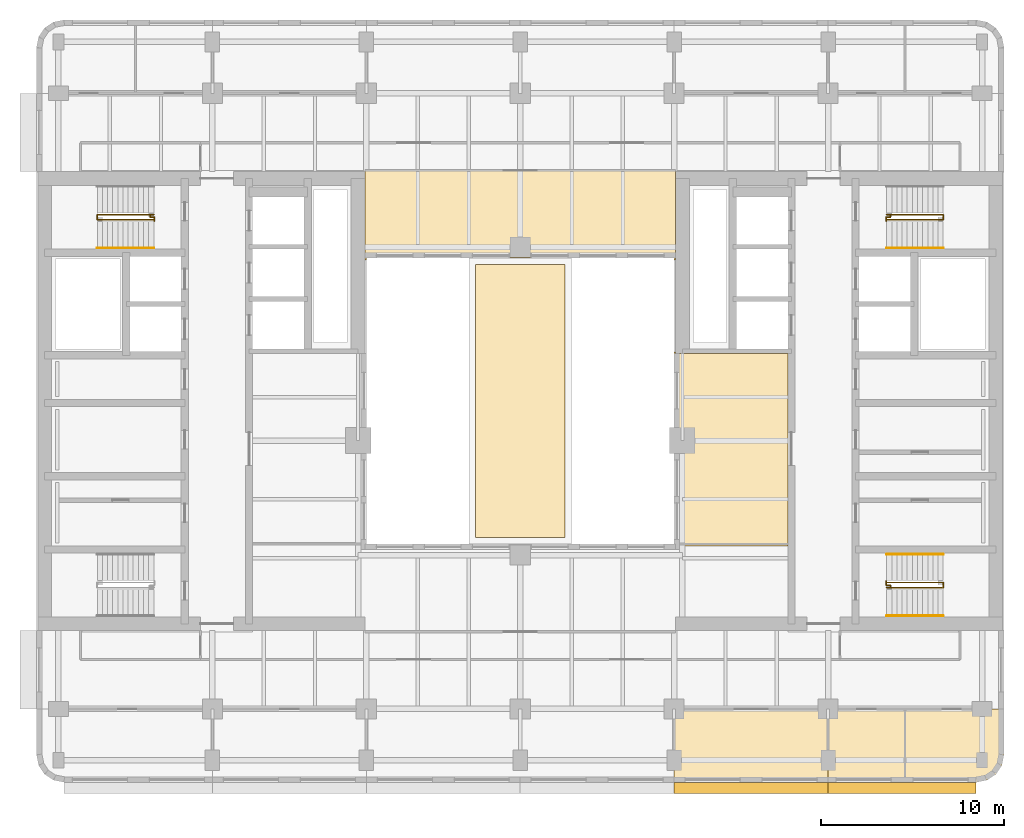
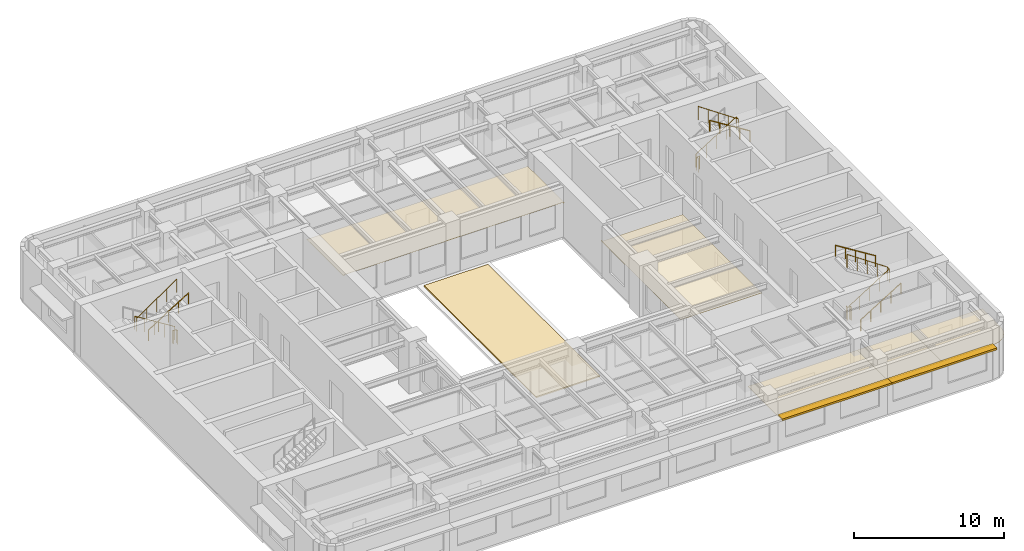
# One storey, part 10 of 11: 10 railings, 6 coverings, 2 shading devices.
"""IFC4 building model written with IfcOpenShell, lengths in metres."""

import ifcopenshell
import ifcopenshell.guid

model = None  # the IFC model being written
_history = None  # IfcOwnerHistory: only IFC2X3 demands one
_inside = {}  # id of a spatial element -> (the spatial element, [elements in it])
_under = {}  # id of a project, library or spatial element -> (it, [spatial elements below it])
_declared = {}  # id of a project -> (the project, [libraries it declares])
_typed = {}  # id of a type object -> (the type object, [elements of that type])
_made_of = {}  # id of a material, layer set ... -> (it, [elements and type objects made of it])


def new_model(schema):
    """Start an empty IFC model of exactly this schema.

    Asked for "IFC4X3", IfcOpenShell would pick the latest addendum, in which some entities
    have other attributes; the version numbers below select the first issue.
    IFC2X3 requires an IfcOwnerHistory on every rooted entity: one is made here for all.
    """
    global model, _history
    if schema == "IFC4X3":
        model = ifcopenshell.file(schema_version=(4, 3, 0, 0))
    else:
        model = ifcopenshell.file(schema=schema)
    _inside.clear()
    _under.clear()
    _declared.clear()
    _typed.clear()
    _made_of.clear()
    _history = None
    if model.schema == "IFC2X3":
        org = make("IfcOrganization", Name="unknown")
        user = make(
            "IfcPersonAndOrganization",
            ThePerson=make("IfcPerson", FamilyName="unknown"),
            TheOrganization=org,
        )
        app = make(
            "IfcApplication",
            ApplicationDeveloper=org,
            Version="unknown",
            ApplicationFullName="unknown",
            ApplicationIdentifier="unknown",
        )
        _history = make(
            "IfcOwnerHistory",
            OwningUser=user,
            OwningApplication=app,
            ChangeAction="ADDED",
            CreationDate=0,
        )
    return model


def make(cls, **values):
    """One entity of the class cls with the attributes given. An attribute that is None is left unset."""
    return model.create_entity(
        cls, **{name: value for name, value in values.items() if value is not None}
    )


def rooted(cls, **values):
    """An entity with a GlobalId (a new one), such as an element, a storey or a relation."""
    return make(cls, GlobalId=ifcopenshell.guid.new(), OwnerHistory=_history, **values)


def si_unit(unit_type, name, prefix=None):
    """IfcSIUnit, for example si_unit("LENGTHUNIT", "METRE", prefix="MILLI")."""
    return make("IfcSIUnit", UnitType=unit_type, Prefix=prefix, Name=name)


def assignment(units):
    """IfcUnitAssignment: the units of a project."""
    return None if units is None else make("IfcUnitAssignment", Units=units)


def point(xyz):
    """IfcCartesianPoint."""
    return None if xyz is None else make("IfcCartesianPoint", Coordinates=xyz)


def direction(xyz):
    """IfcDirection."""
    return None if xyz is None else make("IfcDirection", DirectionRatios=xyz)


def frame(location, z_axis=None, x_axis=None):
    """IfcAxis2Placement3D, a coordinate frame: its origin and axes. An axis left out is left unset."""
    return make(
        "IfcAxis2Placement3D",
        Location=point(location),
        Axis=direction(z_axis),
        RefDirection=direction(x_axis),
    )


def frame_2d(location, x_axis=None):
    """IfcAxis2Placement2D, a coordinate frame in the plane: its origin and x axis."""
    return make(
        "IfcAxis2Placement2D", Location=point(location), RefDirection=direction(x_axis)
    )


def origin():
    """The frame at (0, 0, 0) with its axes left unset."""
    return frame((0.0, 0.0, 0.0))


def origin_2d():
    """The frame at (0, 0) in the plane with its x axis left unset."""
    return frame_2d((0.0, 0.0))


def place(relative_to, where):
    """IfcLocalPlacement: puts the frame where relative to a parent placement (None: the world)."""
    return make(
        "IfcLocalPlacement", PlacementRelTo=relative_to, RelativePlacement=where
    )


def context(
    kind, dimensions, precision=None, world=None, true_north=None, identifier=None
):
    """IfcGeometricRepresentationContext, for example the 3D "Model" context."""
    return make(
        "IfcGeometricRepresentationContext",
        ContextIdentifier=identifier,
        ContextType=kind,
        CoordinateSpaceDimension=dimensions,
        Precision=precision,
        WorldCoordinateSystem=world,
        TrueNorth=true_north,
    )


def subcontext(parent, identifier, kind, view, scale=None):
    """IfcGeometricRepresentationSubContext, for example "Body" below "Model"."""
    return make(
        "IfcGeometricRepresentationSubContext",
        ContextIdentifier=identifier,
        ContextType=kind,
        ParentContext=parent,
        TargetScale=scale,
        TargetView=view,
    )


def project(units=None, contexts=None):
    """IfcProject with its units and contexts."""
    return rooted(
        "IfcProject",
        Name="project",
        RepresentationContexts=contexts,
        UnitsInContext=assignment(units),
    )


def spatial(cls, under=None, at=None, **own):
    """A site, building, storey or space (cls), placed at a placement, below another one or the project."""
    s = rooted(cls, ObjectPlacement=at, **own)
    if under is not None:
        _under.setdefault(under.id(), (under, []))[1].append(s)
    return s


def polyline(points):
    """IfcPolyline through the points."""
    return make("IfcPolyline", Points=[point(p) for p in points])


def profile(cls, at=None, kind="AREA", **sizes):
    """A parametric profile (cls). Its sizes go by their IFC names, for example OverallWidth=200.0."""
    return make(cls, ProfileType=kind, Position=at, **sizes)


def rectangle(**sizes):
    """IfcRectangleProfileDef."""
    return profile("IfcRectangleProfileDef", **sizes)


def circle(**sizes):
    """IfcCircleProfileDef."""
    return profile("IfcCircleProfileDef", **sizes)


def outline(outer, holes=None, kind="AREA"):
    """IfcArbitraryClosedProfileDef: a profile drawn as a closed curve; with holes, ...WithVoids."""
    if holes is None:
        return make("IfcArbitraryClosedProfileDef", ProfileType=kind, OuterCurve=outer)
    return make(
        "IfcArbitraryProfileDefWithVoids",
        ProfileType=kind,
        OuterCurve=outer,
        InnerCurves=holes,
    )


def extrude(swept, where, along, depth):
    """IfcExtrudedAreaSolid: the profile swept, set in the frame where, extruded along a direction by depth."""
    return make(
        "IfcExtrudedAreaSolid",
        SweptArea=swept,
        Position=where,
        ExtrudedDirection=direction(along),
        Depth=depth,
    )


def shape(context_of_items, identifier, shape_type, items):
    """IfcShapeRepresentation: the items that make up one representation, for example the "Body"."""
    return make(
        "IfcShapeRepresentation",
        ContextOfItems=context_of_items,
        RepresentationIdentifier=identifier,
        RepresentationType=shape_type,
        Items=items,
    )


def material(Name=None, Category=None):
    """IfcMaterial."""
    return make("IfcMaterial", Name=Name, Category=Category)


def layer(
    of_material, thickness, ventilated=None, Name=None, Category=None, Priority=None
):
    """IfcMaterialLayer: one layer of a wall or slab, of a material (None: an air gap)."""
    return make(
        "IfcMaterialLayer",
        Material=of_material,
        LayerThickness=thickness,
        IsVentilated=ventilated,
        Name=Name,
        Category=Category,
        Priority=Priority,
    )


def layer_set(layers, Name=None):
    """IfcMaterialLayerSet."""
    return make("IfcMaterialLayerSet", MaterialLayers=layers, LayerSetName=Name)


def made_of(thing, what):
    """Note that an element or type object is made of a material, layer set ...; save() writes the relation."""
    if what is not None:
        _made_of.setdefault(what.id(), (what, []))[1].append(thing)
    return thing


def type_object(cls, material=None, **own):
    """A type object (cls), such as IfcWallType, which elements share."""
    return made_of(rooted(cls, **own), material)


def element(
    cls,
    number,
    at=None,
    inside=None,
    cuts=None,
    type_object=None,
    material=None,
    context=None,
    identifier="Body",
    shape_type=None,
    held_by="IfcProductDefinitionShape",
    body=None,
    shapes=None,
    **own,
):
    """One element of the class cls, such as IfcWall. Its Tag is "e" and its number.

    at: its placement. inside: the storey or other place that contains it. cuts: it is an
    opening in that element (IfcRelVoidsElement). A single representation is given by context,
    identifier, shape_type and body (its items); several are given by shapes. held_by: the class
    of the entity that holds the representations. save() writes the other relations.
    """
    e = rooted(cls, Tag="e%d" % number, ObjectPlacement=at, **own)
    if body is not None:
        shapes = [shape(context, identifier, shape_type, body)]
    if shapes is not None:
        e.Representation = make(held_by, Representations=shapes)
    if inside is not None:
        _inside.setdefault(inside.id(), (inside, []))[1].append(e)
    if cuts is not None:
        rooted(
            "IfcRelVoidsElement", RelatingBuildingElement=cuts, RelatedOpeningElement=e
        )
    if type_object is not None:
        _typed.setdefault(type_object.id(), (type_object, []))[1].append(e)
    return made_of(e, material)


def aggregate(whole, parts):
    """IfcRelAggregates: a whole, such as a stair, and the parts it consists of."""
    return rooted("IfcRelAggregates", RelatingObject=whole, RelatedObjects=parts)


def save(model, path):
    """Write the relations noted so far, then the file.

    IfcRelAggregates (storeys below a building ...), IfcRelContainedInSpatialStructure (elements
    in a storey), IfcRelDefinesByType, IfcRelAssociatesMaterial and IfcRelDeclares: one each for
    every whole, place, type object, material and project.
    """
    for whole, parts in _under.values():
        aggregate(whole, parts)
    for where, things in _inside.values():
        rooted(
            "IfcRelContainedInSpatialStructure",
            RelatedElements=things,
            RelatingStructure=where,
        )
    for kind, things in _typed.values():
        rooted("IfcRelDefinesByType", RelatedObjects=things, RelatingType=kind)
    for what, things in _made_of.values():
        rooted("IfcRelAssociatesMaterial", RelatedObjects=things, RelatingMaterial=what)
    for by, libraries in _declared.values():
        rooted("IfcRelDeclares", RelatingContext=by, RelatedDefinitions=libraries)
    model.write(path)


model = new_model("IFC4")

# Units and contexts
model_context = context("Model", 3, precision=1e-05, world=origin(), true_north=direction((0.0, 1.0)))
body_context = subcontext(model_context, "Body", "Model", "MODEL_VIEW")
ifc_project = project(units=[si_unit("LENGTHUNIT", "METRE"), si_unit("AREAUNIT", "SQUARE_METRE"), si_unit("VOLUMEUNIT", "CUBIC_METRE"), si_unit("PLANEANGLEUNIT", "RADIAN"), si_unit("MASSUNIT", "GRAM", prefix="KILO")], contexts=[model_context])

# Site, building, storey
site_placement = place(None, origin())
site = spatial("IfcSite", under=ifc_project, at=site_placement, CompositionType="ELEMENT")
building_placement = place(site_placement, origin())
building = spatial("IfcBuilding", under=site, at=building_placement, Name="Claustro Exchange Tower", CompositionType="ELEMENT")
storey_placement = place(building_placement, frame((0.0, 0.0, 177.60009765625)))
storey = spatial("IfcBuildingStorey", under=building, at=storey_placement, Name="L40", CompositionType="ELEMENT", Elevation=177.60009765625)

# Coverings
ifc_material_1 = material(Name="Gypsum board ceiling", Category="gypsum board")
ifc_layer_1 = layer(ifc_material_1, 0.02490234375)
ifc_layer_set_1 = layer_set([ifc_layer_1], Name="Gypsum board ceiling")
covering_type_1 = type_object("IfcCoveringType", Name="CL2 plasterboard ceiling", PredefinedType="CEILING", material=ifc_layer_set_1)
covering_1_placement = place(storey_placement, frame((0.0, 0.0, 2.7998046875)))
element("IfcCovering", 1, at=covering_1_placement, inside=storey, type_object=covering_type_1, Name="Ceiling CL2 L40-03", PredefinedType="CEILING", context=body_context, shape_type="SweptSolid", body=[
    extrude(outline(polyline([(33.60009765625, 4.39990234375), (42.0, 4.39990234375), (42.0, 8.39990234375), (33.60009765625, 8.39990234375), (33.60009765625, 4.39990234375)])), origin(), (0.0, 0.0, 1.0), 0.025146484375),
])
covering_2_placement = place(storey_placement, frame((0.0, 0.0, 2.7998046875)))
element("IfcCovering", 2, at=covering_2_placement, inside=storey, type_object=covering_type_1, Name="Ceiling CL2 L40-04", PredefinedType="CEILING", context=body_context, shape_type="SweptSolid", body=[
    extrude(outline(polyline([(42.0, 4.39990234375), (46.199951171875, 4.39990234375), (46.199951171875, 8.39990234375), (42.0, 8.39990234375), (42.0, 4.39990234375)])), origin(), (0.0, 0.0, 1.0), 0.025146484375),
])
covering_3_placement = place(storey_placement, frame((0.0, 0.0, 2.7998046875)))
element("IfcCovering", 3, at=covering_3_placement, inside=storey, type_object=covering_type_1, Name="Ceiling CL2 L40-05", PredefinedType="CEILING", context=body_context, shape_type="SweptSolid", body=[
    extrude(outline(polyline([(51.60009765625, 5.89990234375), (51.60009765625, 8.39990234375), (46.199951171875, 8.39990234375), (46.199951171875, 4.39990234375), (50.10009765625, 4.39990234375), (50.674072265625, 4.51416015625), (51.16064453125, 4.83935546875), (51.48583984375, 5.325927734375), (51.60009765625, 5.89990234375)])), origin(), (0.0, 0.0, 1.0), 0.025146484375),
])
covering_4_placement = place(storey_placement, frame((0.0, 0.0, 2.7998046875)))
element("IfcCovering", 4, at=covering_4_placement, inside=storey, type_object=covering_type_1, Name="Ceiling CL2 L40-12", PredefinedType="CEILING", context=body_context, shape_type="SweptSolid", body=[
    extrude(outline(polyline([(33.60009765625, 27.89501953125), (33.60009765625, 17.304931640625), (39.800048828125, 17.304931640625), (39.800048828125, 27.800048828125), (33.675048828125, 27.800048828125), (33.675048828125, 27.89501953125), (33.60009765625, 27.89501953125)])), origin(), (0.0, 0.0, 1.0), 0.025146484375),
])
covering_5_placement = place(storey_placement, frame((0.0, 0.0, 2.7998046875)))
element("IfcCovering", 5, at=covering_5_placement, inside=storey, type_object=covering_type_1, Name="Ceiling CL2 L40-13", PredefinedType="CEILING", context=body_context, shape_type="SweptSolid", body=[
    extrude(outline(polyline([(16.72509765625, 37.72509765625), (16.72509765625, 32.905029296875), (16.800048828125, 32.905029296875), (16.800048828125, 33.0), (33.60009765625, 33.0), (33.60009765625, 32.905029296875), (33.675048828125, 32.905029296875), (33.675048828125, 37.72509765625), (33.695068359375, 37.72509765625), (33.695068359375, 37.800048828125), (16.705078125, 37.800048828125), (16.705078125, 37.72509765625), (16.72509765625, 37.72509765625)])), origin(), (0.0, 0.0, 1.0), 0.025146484375),
])

# Railings
ifc_material_2 = material(Name="Steel balustrade, painted", Category="steel")
railing_type_1 = type_object("IfcRailingType", Name="GR2 1100 steel stair guard", PredefinedType="GUARDRAIL", material=ifc_material_2)
railing_1_placement = place(storey_placement, frame((5.199951171875, 35.375, 0.1748046875)))
element("IfcRailing", 6, at=railing_1_placement, inside=storey, type_object=railing_type_1, Name="Stair well guard GR2 stair STWB L40", PredefinedType="GUARDRAIL", context=body_context, shape_type="SweptSolid", body=[
    extrude(circle(Radius=0.02392578125, at=origin_2d()), frame((0.0, 0.0, 1.076171875), z_axis=(-0.847979421464, 0.0, 0.530029150871), x_axis=(0.0, -1.0, 0.0)), (0.0, 0.0, 1.0), 3.632080078125),
    extrude(circle(Radius=0.02392578125, at=origin_2d()), frame((-3.079833984375, 0.0, 3.0009765625), z_axis=(0.0, -1.0, 0.0), x_axis=(1.0, 0.0, 0.0)), (0.0, 0.0, 1.0), 0.27490234375),
    extrude(circle(Radius=0.02392578125, at=origin_2d()), frame((-3.079833984375, -0.27490234375, 3.0009765625), z_axis=(0.826201015165, 0.0, 0.563375436579), x_axis=(0.0, 1.0, 0.0)), (0.0, 0.0, 1.0), 3.727783203125),
    extrude(circle(Radius=0.02099609375, at=origin_2d()), origin(), (0.0, 0.0, 1.0), 1.052001953125),
    extrude(circle(Radius=0.02099609375, at=origin_2d()), frame((-0.77001953125, 0.0, 0.481201171875)), (0.0, 0.0, 1.0), 1.052001953125),
    extrude(circle(Radius=0.02099609375, at=origin_2d()), frame((-1.5400390625, 0.0, 0.96240234375)), (0.0, 0.0, 1.0), 1.052001953125),
    extrude(circle(Radius=0.02099609375, at=origin_2d()), frame((-2.309814453125, 0.0, 1.44384765625)), (0.0, 0.0, 1.0), 1.052001953125),
    extrude(circle(Radius=0.02099609375, at=origin_2d()), frame((-3.079833984375, 0.0, 1.925048828125)), (0.0, 0.0, 1.0), 1.052001953125),
    extrude(circle(Radius=0.02099609375, at=origin_2d()), frame((-3.079833984375, -0.27490234375, 1.925048828125)), (0.0, 0.0, 1.0), 1.052001953125),
    extrude(circle(Radius=0.02099609375, at=origin_2d()), frame((-2.309814453125, -0.27490234375, 2.4501953125)), (0.0, 0.0, 1.0), 1.052001953125),
    extrude(circle(Radius=0.02099609375, at=origin_2d()), frame((-1.5400390625, -0.27490234375, 2.97509765625)), (0.0, 0.0, 1.0), 1.052001953125),
    extrude(circle(Radius=0.02099609375, at=origin_2d()), frame((-0.77001953125, -0.27490234375, 3.5)), (0.0, 0.0, 1.0), 1.052001953125),
    extrude(circle(Radius=0.02099609375, at=origin_2d()), frame((0.0, -0.27490234375, 4.025146484375)), (0.0, 0.0, 1.0), 1.052001953125),
])
railing_2_placement = place(storey_placement, frame((5.0, 35.304931640625, 0.0)))
element("IfcRailing", 7, at=railing_2_placement, inside=storey, type_object=railing_type_1, Name="Stair guard GR2 STWB L40", PredefinedType="GUARDRAIL", context=body_context, shape_type="SweptSolid", body=[
    extrude(circle(Radius=0.02392578125, at=origin_2d()), frame((0.0, 0.0, 1.076171875), z_axis=(0.0, -1.0, 0.0), x_axis=(1.0, 0.0, 0.0)), (0.0, 0.0, 1.0), 0.0673828125),
    extrude(circle(Radius=0.02392578125, at=origin_2d()), frame((0.0, -0.0673828125, 1.076171875), z_axis=(1.0, 0.0, 0.0), x_axis=(0.0, 1.0, 0.0)), (0.0, 0.0, 1.0), 0.22509765625),
    extrude(circle(Radius=0.02392578125, at=origin_2d()), frame((0.22509765625, -0.0673828125, 1.076171875), z_axis=(0.0, -1.0, 0.0), x_axis=(1.0, 0.0, 0.0)), (0.0, 0.0, 1.0), 0.217529296875),
    extrude(circle(Radius=0.02099609375, at=origin_2d()), origin(), (0.0, 0.0, 1.0), 1.052001953125),
    extrude(circle(Radius=0.02099609375, at=origin_2d()), frame((0.0, -0.0673828125, 0.0)), (0.0, 0.0, 1.0), 1.052001953125),
    extrude(circle(Radius=0.02099609375, at=origin_2d()), frame((0.22509765625, -0.0673828125, 0.0)), (0.0, 0.0, 1.0), 1.052001953125),
    extrude(circle(Radius=0.02099609375, at=origin_2d()), frame((0.22509765625, -0.284912109375, 0.0)), (0.0, 0.0, 1.0), 1.052001953125),
])
railing_3_placement = place(storey_placement, frame((45.199951171875, 15.02490234375, 0.1748046875)))
element("IfcRailing", 8, at=railing_3_placement, inside=storey, type_object=railing_type_1, Name="Stair well guard GR2 stair STEA L40", PredefinedType="GUARDRAIL", context=body_context, shape_type="SweptSolid", body=[
    extrude(circle(Radius=0.02392578125, at=origin_2d()), frame((0.0, 0.0, 1.076171875), z_axis=(0.847998304005, 0.0, 0.529998940003), x_axis=(0.0, 1.0, 0.0)), (0.0, 0.0, 1.0), 3.632080078125),
    extrude(circle(Radius=0.02392578125, at=origin_2d()), frame((3.080078125, 0.0, 3.0009765625), z_axis=(0.0, 1.0, 0.0), x_axis=(-1.0, 0.0, 0.0)), (0.0, 0.0, 1.0), 0.275146484375),
    extrude(circle(Radius=0.02392578125, at=origin_2d()), frame((3.080078125, 0.275146484375, 3.0009765625), z_axis=(-0.826221800596, 0.0, 0.563344953133), x_axis=(0.0, -1.0, 0.0)), (0.0, 0.0, 1.0), 3.72802734375),
    extrude(circle(Radius=0.02099609375, at=origin_2d()), origin(), (0.0, 0.0, 1.0), 1.052001953125),
    extrude(circle(Radius=0.02099609375, at=origin_2d()), frame((0.77001953125, 0.0, 0.481201171875)), (0.0, 0.0, 1.0), 1.052001953125),
    extrude(circle(Radius=0.02099609375, at=origin_2d()), frame((1.5400390625, 0.0, 0.96240234375)), (0.0, 0.0, 1.0), 1.052001953125),
    extrude(circle(Radius=0.02099609375, at=origin_2d()), frame((2.31005859375, 0.0, 1.44384765625)), (0.0, 0.0, 1.0), 1.052001953125),
    extrude(circle(Radius=0.02099609375, at=origin_2d()), frame((3.080078125, 0.0, 1.925048828125)), (0.0, 0.0, 1.0), 1.052001953125),
    extrude(circle(Radius=0.02099609375, at=origin_2d()), frame((3.080078125, 0.275146484375, 1.925048828125)), (0.0, 0.0, 1.0), 1.052001953125),
    extrude(circle(Radius=0.02099609375, at=origin_2d()), frame((2.31005859375, 0.275146484375, 2.4501953125)), (0.0, 0.0, 1.0), 1.052001953125),
    extrude(circle(Radius=0.02099609375, at=origin_2d()), frame((1.5400390625, 0.275146484375, 2.97509765625)), (0.0, 0.0, 1.0), 1.052001953125),
    extrude(circle(Radius=0.02099609375, at=origin_2d()), frame((0.77001953125, 0.275146484375, 3.5)), (0.0, 0.0, 1.0), 1.052001953125),
    extrude(circle(Radius=0.02099609375, at=origin_2d()), frame((0.0, 0.275146484375, 4.025146484375)), (0.0, 0.0, 1.0), 1.052001953125),
])
railing_4_placement = place(storey_placement, frame((45.39990234375, 15.094970703125, 0.0)))
element("IfcRailing", 9, at=railing_4_placement, inside=storey, type_object=railing_type_1, Name="Stair guard GR2 STEA L40", PredefinedType="GUARDRAIL", context=body_context, shape_type="SweptSolid", body=[
    extrude(circle(Radius=0.02392578125, at=origin_2d()), frame((0.0, 0.0, 1.076171875), z_axis=(0.0, 1.0, 0.0), x_axis=(-1.0, 0.0, 0.0)), (0.0, 0.0, 1.0), 0.067626953125),
    extrude(circle(Radius=0.02392578125, at=origin_2d()), frame((0.0, 0.067626953125, 1.076171875), z_axis=(-1.0, 0.0, 0.0), x_axis=(0.0, -1.0, 0.0)), (0.0, 0.0, 1.0), 0.224853515625),
    extrude(circle(Radius=0.02392578125, at=origin_2d()), frame((-0.224853515625, 0.067626953125, 1.076171875), z_axis=(0.0, 1.0, 0.0), x_axis=(-1.0, 0.0, 0.0)), (0.0, 0.0, 1.0), 0.21728515625),
    extrude(circle(Radius=0.02099609375, at=origin_2d()), origin(), (0.0, 0.0, 1.0), 1.052001953125),
    extrude(circle(Radius=0.02099609375, at=origin_2d()), frame((0.0, 0.067626953125, 0.0)), (0.0, 0.0, 1.0), 1.052001953125),
    extrude(circle(Radius=0.02099609375, at=origin_2d()), frame((-0.224853515625, 0.067626953125, 0.0)), (0.0, 0.0, 1.0), 1.052001953125),
    extrude(circle(Radius=0.02099609375, at=origin_2d()), frame((-0.224853515625, 0.284912109375, 0.0)), (0.0, 0.0, 1.0), 1.052001953125),
])
railing_5_placement = place(storey_placement, frame((45.199951171875, 35.375, 0.1748046875)))
element("IfcRailing", 10, at=railing_5_placement, inside=storey, type_object=railing_type_1, Name="Stair well guard GR2 stair STEB L40", PredefinedType="GUARDRAIL", context=body_context, shape_type="SweptSolid", body=[
    extrude(circle(Radius=0.02392578125, at=origin_2d()), frame((0.0, 0.0, 1.076171875), z_axis=(0.847998304005, 0.0, 0.529998940003), x_axis=(0.0, 1.0, 0.0)), (0.0, 0.0, 1.0), 3.632080078125),
    extrude(circle(Radius=0.02392578125, at=origin_2d()), frame((3.080078125, 0.0, 3.0009765625), z_axis=(0.0, -1.0, 0.0), x_axis=(1.0, 0.0, 0.0)), (0.0, 0.0, 1.0), 0.27490234375),
    extrude(circle(Radius=0.02392578125, at=origin_2d()), frame((3.080078125, -0.27490234375, 3.0009765625), z_axis=(-0.826221800596, 0.0, 0.563344953133), x_axis=(0.0, -1.0, 0.0)), (0.0, 0.0, 1.0), 3.72802734375),
    extrude(circle(Radius=0.02099609375, at=origin_2d()), origin(), (0.0, 0.0, 1.0), 1.052001953125),
    extrude(circle(Radius=0.02099609375, at=origin_2d()), frame((0.77001953125, 0.0, 0.481201171875)), (0.0, 0.0, 1.0), 1.052001953125),
    extrude(circle(Radius=0.02099609375, at=origin_2d()), frame((1.5400390625, 0.0, 0.96240234375)), (0.0, 0.0, 1.0), 1.052001953125),
    extrude(circle(Radius=0.02099609375, at=origin_2d()), frame((2.31005859375, 0.0, 1.44384765625)), (0.0, 0.0, 1.0), 1.052001953125),
    extrude(circle(Radius=0.02099609375, at=origin_2d()), frame((3.080078125, 0.0, 1.925048828125)), (0.0, 0.0, 1.0), 1.052001953125),
    extrude(circle(Radius=0.02099609375, at=origin_2d()), frame((3.080078125, -0.27490234375, 1.925048828125)), (0.0, 0.0, 1.0), 1.052001953125),
    extrude(circle(Radius=0.02099609375, at=origin_2d()), frame((2.31005859375, -0.27490234375, 2.4501953125)), (0.0, 0.0, 1.0), 1.052001953125),
    extrude(circle(Radius=0.02099609375, at=origin_2d()), frame((1.5400390625, -0.27490234375, 2.97509765625)), (0.0, 0.0, 1.0), 1.052001953125),
    extrude(circle(Radius=0.02099609375, at=origin_2d()), frame((0.77001953125, -0.27490234375, 3.5)), (0.0, 0.0, 1.0), 1.052001953125),
    extrude(circle(Radius=0.02099609375, at=origin_2d()), frame((0.0, -0.27490234375, 4.025146484375)), (0.0, 0.0, 1.0), 1.052001953125),
])
railing_6_placement = place(storey_placement, frame((45.39990234375, 35.304931640625, 0.0)))
element("IfcRailing", 11, at=railing_6_placement, inside=storey, type_object=railing_type_1, Name="Stair guard GR2 STEB L40", PredefinedType="GUARDRAIL", context=body_context, shape_type="SweptSolid", body=[
    extrude(circle(Radius=0.02392578125, at=origin_2d()), frame((0.0, 0.0, 1.076171875), z_axis=(0.0, -1.0, 0.0), x_axis=(1.0, 0.0, 0.0)), (0.0, 0.0, 1.0), 0.0673828125),
    extrude(circle(Radius=0.02392578125, at=origin_2d()), frame((0.0, -0.0673828125, 1.076171875), z_axis=(-1.0, 0.0, 0.0), x_axis=(0.0, -1.0, 0.0)), (0.0, 0.0, 1.0), 0.224853515625),
    extrude(circle(Radius=0.02392578125, at=origin_2d()), frame((-0.224853515625, -0.0673828125, 1.076171875), z_axis=(0.0, -1.0, 0.0), x_axis=(1.0, 0.0, 0.0)), (0.0, 0.0, 1.0), 0.217529296875),
    extrude(circle(Radius=0.02099609375, at=origin_2d()), origin(), (0.0, 0.0, 1.0), 1.052001953125),
    extrude(circle(Radius=0.02099609375, at=origin_2d()), frame((0.0, -0.0673828125, 0.0)), (0.0, 0.0, 1.0), 1.052001953125),
    extrude(circle(Radius=0.02099609375, at=origin_2d()), frame((-0.224853515625, -0.0673828125, 0.0)), (0.0, 0.0, 1.0), 1.052001953125),
    extrude(circle(Radius=0.02099609375, at=origin_2d()), frame((-0.224853515625, -0.284912109375, 0.0)), (0.0, 0.0, 1.0), 1.052001953125),
])
ifc_material_3 = material(Name="Stainless steel tube", Category="steel")
railing_type_2 = type_object("IfcRailingType", Name="HR1 900 stair handrail", PredefinedType="HANDRAIL", material=ifc_material_3)
railing_7_placement = place(storey_placement, frame((2.1201171875, 33.56005859375, 2.27490234375)))
element("IfcRailing", 12, at=railing_7_placement, inside=storey, type_object=railing_type_2, Name="Handrail HR1 stair STWB L40", PredefinedType="HANDRAIL", context=body_context, shape_type="SweptSolid", body=[
    extrude(circle(Radius=0.02392578125, at=origin_2d()), frame((0.0, 0.0, 0.8759765625), z_axis=(0.847979421464, 0.0, 0.530029150871), x_axis=(0.0, 1.0, 0.0)), (0.0, 0.0, 1.0), 3.632080078125),
    extrude(circle(Radius=0.02099609375, at=origin_2d()), origin(), (0.0, 0.0, 1.0), 0.851806640625),
    extrude(circle(Radius=0.02099609375, at=origin_2d()), frame((0.77001953125, 0.0, 0.481201171875)), (0.0, 0.0, 1.0), 0.851806640625),
    extrude(circle(Radius=0.02099609375, at=origin_2d()), frame((1.5400390625, 0.0, 0.96240234375)), (0.0, 0.0, 1.0), 0.851806640625),
    extrude(circle(Radius=0.02099609375, at=origin_2d()), frame((2.309814453125, 0.0, 1.44384765625)), (0.0, 0.0, 1.0), 0.851806640625),
    extrude(circle(Radius=0.02099609375, at=origin_2d()), frame((3.079833984375, 0.0, 1.925048828125)), (0.0, 0.0, 1.0), 0.851806640625),
])
railing_8_placement = place(storey_placement, frame((45.199951171875, 13.485107421875, 0.1748046875)))
element("IfcRailing", 13, at=railing_8_placement, inside=storey, type_object=railing_type_2, Name="Handrail HR1 stair STEA L40", PredefinedType="HANDRAIL", context=body_context, shape_type="SweptSolid", body=[
    extrude(circle(Radius=0.02392578125, at=origin_2d()), frame((0.0, 0.0, 0.8759765625), z_axis=(0.847998304005, 0.0, 0.529998940003), x_axis=(0.0, 1.0, 0.0)), (0.0, 0.0, 1.0), 3.632080078125),
    extrude(circle(Radius=0.02099609375, at=origin_2d()), origin(), (0.0, 0.0, 1.0), 0.851806640625),
    extrude(circle(Radius=0.02099609375, at=origin_2d()), frame((0.77001953125, 0.0, 0.481201171875)), (0.0, 0.0, 1.0), 0.851806640625),
    extrude(circle(Radius=0.02099609375, at=origin_2d()), frame((1.5400390625, 0.0, 0.96240234375)), (0.0, 0.0, 1.0), 0.851806640625),
    extrude(circle(Radius=0.02099609375, at=origin_2d()), frame((2.31005859375, 0.0, 1.44384765625)), (0.0, 0.0, 1.0), 0.851806640625),
    extrude(circle(Radius=0.02099609375, at=origin_2d()), frame((3.080078125, 0.0, 1.925048828125)), (0.0, 0.0, 1.0), 0.851806640625),
])
for number, where, name in (
    (14, (48.280029296875, 16.840087890625, 2.27490234375), "Handrail HR1 stair STEA L40"),
    (15, (48.280029296875, 33.56005859375, 2.27490234375), "Handrail HR1 stair STEB L40"),
):
    element("IfcRailing", number, at=place(storey_placement, frame(where)), inside=storey, type_object=railing_type_2, Name=name, PredefinedType="HANDRAIL", context=body_context, shape_type="SweptSolid", body=[
        extrude(circle(Radius=0.02392578125, at=origin_2d()), frame((0.0, 0.0, 0.8759765625), z_axis=(-0.847998304005, 0.0, 0.529998940003), x_axis=(0.0, -1.0, 0.0)), (0.0, 0.0, 1.0), 3.632080078125),
        extrude(circle(Radius=0.02099609375, at=origin_2d()), origin(), (0.0, 0.0, 1.0), 0.851806640625),
        extrude(circle(Radius=0.02099609375, at=origin_2d()), frame((-0.77001953125, 0.0, 0.481201171875)), (0.0, 0.0, 1.0), 0.851806640625),
        extrude(circle(Radius=0.02099609375, at=origin_2d()), frame((-1.5400390625, 0.0, 0.96240234375)), (0.0, 0.0, 1.0), 0.851806640625),
        extrude(circle(Radius=0.02099609375, at=origin_2d()), frame((-2.31005859375, 0.0, 1.44384765625)), (0.0, 0.0, 1.0), 0.851806640625),
        extrude(circle(Radius=0.02099609375, at=origin_2d()), frame((-3.080078125, 0.0, 1.925048828125)), (0.0, 0.0, 1.0), 0.851806640625),
    ])

# Covering
ifc_material_4 = material(Name="Bituminous membrane, insulation, gravel ballast", Category="bitumen")
ifc_layer_2 = layer(ifc_material_4, 0.10009765625)
ifc_layer_set_2 = layer_set([ifc_layer_2], Name="Bituminous membrane, insulation, gravel ballast")
covering_type_2 = type_object("IfcCoveringType", Name="RM1 100 inverted roof membrane and ballast", PredefinedType="ROOFING", material=ifc_layer_set_2)
covering_6_placement = place(storey_placement, origin())
element("IfcCovering", 16, at=covering_6_placement, inside=storey, type_object=covering_type_2, Name="Roof finish RM1 over L39", PredefinedType="ROOFING", context=body_context, shape_type="SweptSolid", body=[
    extrude(outline(polyline([(27.64990234375, 17.75), (27.64990234375, 32.64990234375), (22.75, 32.64990234375), (22.75, 17.75), (27.64990234375, 17.75)])), origin(), (0.0, 0.0, 1.0), 0.099853515625),
])

# Shading devices
ifc_material_5 = material(Name="Concrete HA-40 (C40/50), precast, white cement, acid-etched", Category="concrete")
ifc_layer_3 = layer(ifc_material_5, 0.14990234375)
ifc_layer_set_3 = layer_set([ifc_layer_3], Name="Concrete HA-40 (C40/50), precast, white cement, acid-etched")
shading_device_type = type_object("IfcShadingDeviceType", Name="SS1 600 precast concrete SUNSHADE", PredefinedType="SHUTTER", material=ifc_layer_set_3)
shading_device_1_placement = place(storey_placement, frame((46.04248046875, 4.10009765625, 2.800048828125), z_axis=(0.0, 0.0, 1.0), x_axis=(-1.0, 0.0, 0.0)))
element("IfcShadingDevice", 17, at=shading_device_1_placement, inside=storey, type_object=shading_device_type, Name="Precast SUNSHADE SS1 L40", PredefinedType="SHUTTER", context=body_context, shape_type="SweptSolid", body=[
    extrude(rectangle(XDim=8.085205078125, YDim=0.60009765625, at=origin_2d()), origin(), (0.0, 0.0, 1.0), 0.14990234375),
])
shading_device_2_placement = place(storey_placement, frame((37.800048828125, 4.10009765625, 2.800048828125), z_axis=(0.0, 0.0, 1.0), x_axis=(-1.0, 0.0, 0.0)))
element("IfcShadingDevice", 18, at=shading_device_2_placement, inside=storey, type_object=shading_device_type, Name="Precast SUNSHADE SS1 L40", PredefinedType="SHUTTER", context=body_context, shape_type="SweptSolid", body=[
    extrude(rectangle(XDim=8.39990234375, YDim=0.60009765625, at=origin_2d()), origin(), (0.0, 0.0, 1.0), 0.14990234375),
])

save(model, "model.ifc")
